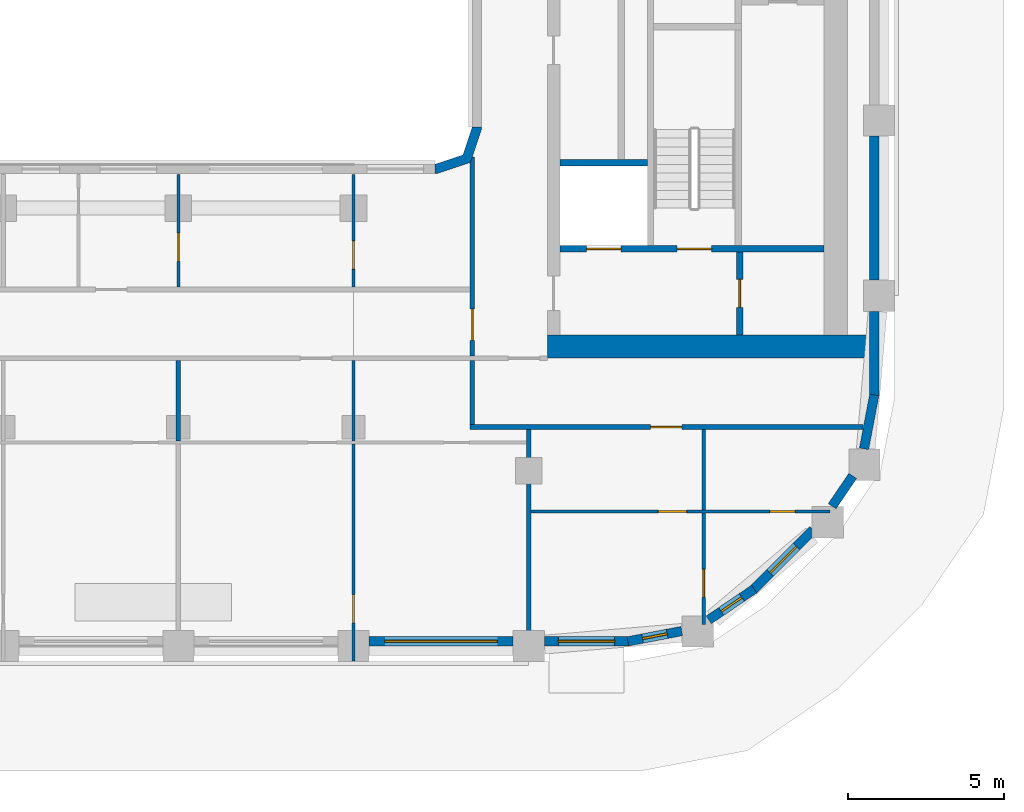
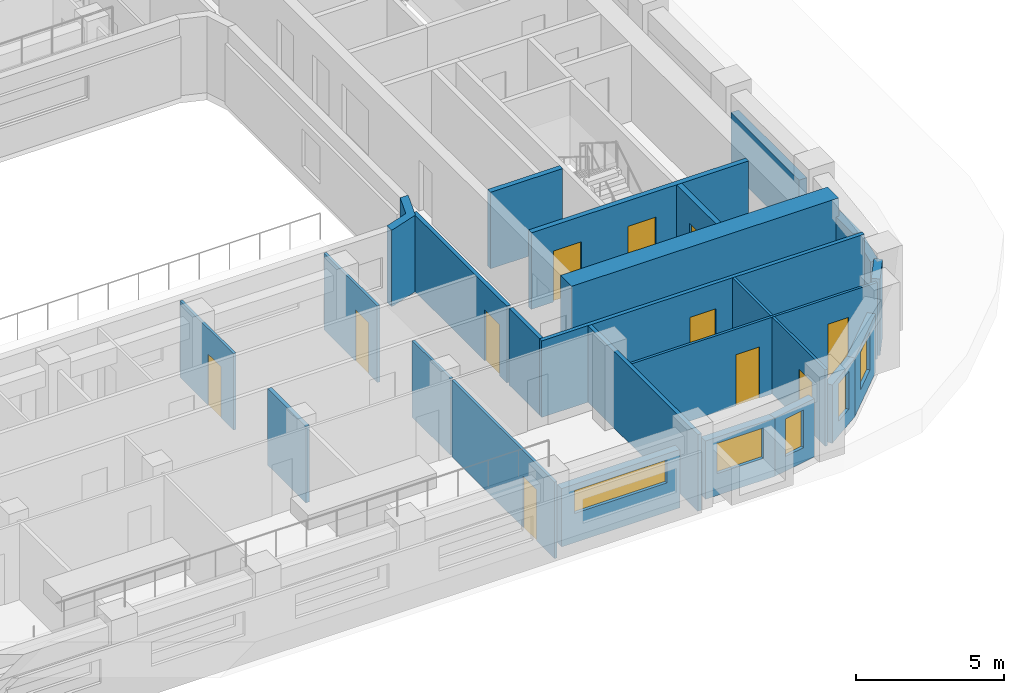
# One storey, part 5 of 17: 26 walls, 11 doors, 5 windows, 16 openings.
"""IFC4 building model written with IfcOpenShell, lengths in metres."""

from ifc_helpers import new_model, si_unit, direction, frame, frame_2d, origin, place, context, subcontext, project, spatial, polyline, rectangle, outline, extrude, material, layer, layer_set, type_object, element, fill, save


model = new_model("IFC4")

# Units and contexts
model_context = context("Model", 3, precision=1e-05, world=origin(), true_north=direction((0.0, 1.0)))
body_context = subcontext(model_context, "Body", "Model", "MODEL_VIEW")
ifc_project = project(units=[si_unit("LENGTHUNIT", "METRE"), si_unit("AREAUNIT", "SQUARE_METRE"), si_unit("VOLUMEUNIT", "CUBIC_METRE"), si_unit("PLANEANGLEUNIT", "RADIAN"), si_unit("MASSUNIT", "GRAM", prefix="KILO")], contexts=[model_context])

# Site, building, storey
site_placement = place(None, origin())
site = spatial("IfcSite", under=ifc_project, at=site_placement, CompositionType="ELEMENT")
building_placement = place(site_placement, origin())
building = spatial("IfcBuilding", under=site, at=building_placement, Name="Kiln Ring Residences", CompositionType="ELEMENT")
storey_placement = place(building_placement, frame((0.0, 0.0, 174.60009765625)))
storey = spatial("IfcBuildingStorey", under=building, at=storey_placement, Name="L45", CompositionType="ELEMENT", Elevation=174.60009765625)

# Wall, opening, door
ifc_material_1 = material(Name="Gypsum board on steel studs", Category="steel")
ifc_layer_1 = layer(ifc_material_1, 0.199951171875)
ifc_layer_set_1 = layer_set([ifc_layer_1], Name="CORE-PARTITION-200")
wall_type_1 = type_object("IfcWallType", Name="CORE-PARTITION-200", PredefinedType="PARTITIONING", material=ifc_layer_set_1)
wall_1_placement = place(storey_placement, frame((23.550048828125, -12.449951171875, 0.0), z_axis=(0.0, 0.0, 1.0), x_axis=(0.0, 1.0, 0.0)))
wall_1 = element("IfcWall", 1, at=wall_1_placement, inside=storey, type_object=wall_type_1, Name="Core partition east L45 5", PredefinedType="PARTITIONING", context=body_context, shape_type="SweptSolid", body=[
    extrude(rectangle(XDim=2.64990234375, YDim=0.199951171875, at=frame_2d((1.324951171875, 0.0))), origin(), (0.0, 0.0, 1.0), 3.14990234375),
])
opening_1_placement = place(wall_1_placement, frame((0.875, 0.0, 0.0)))
opening_1 = element("IfcOpeningElement", 2, at=opening_1_placement, cuts=wall_1, Name="Opening L45-CE10", PredefinedType="OPENING", context=body_context, shape_type="SweptSolid", body=[
    extrude(rectangle(XDim=0.89990234375, YDim=2.10009765625, at=frame_2d((0.449951171875, 1.050048828125))), frame((0.0, 0.10986328125, 0.0), z_axis=(0.0, -1.0, 0.0), x_axis=(1.0, 0.0, 0.0)), (0.0, 0.0, 1.0), 0.219970703125),
])
ifc_material_2 = material(Name="Steel door leaf", Category="steel")
door_type_1 = type_object("IfcDoorType", Name="CORE-DOOR-ROOM", OperationType="SINGLE_SWING_LEFT", PredefinedType="DOOR", material=ifc_material_2)
door_1_placement = place(opening_1_placement, origin())
door_1 = element("IfcDoor", 3, at=door_1_placement, inside=storey, type_object=door_type_1, Name="Store L45-CE10", OperationType="SINGLE_SWING_LEFT", OverallHeight=2.10009765625, OverallWidth=0.89990234375, PredefinedType="DOOR", context=body_context, shape_type="SweptSolid", body=[
    extrude(rectangle(XDim=0.89990234375, YDim=2.10009765625, at=frame_2d((0.449951171875, 1.050048828125))), frame((0.0, 0.02490234375, 0.0), z_axis=(0.0, -1.0, 0.0), x_axis=(1.0, 0.0, 0.0)), (0.0, 0.0, 1.0), 0.050048828125),
])
fill(opening_1, door_1)

# Wall
ifc_material_3 = material(Name="Gypsum shaft wall system")
ifc_layer_2 = layer(ifc_material_3, 0.199951171875)
ifc_layer_set_2 = layer_set([ifc_layer_2], Name="CORE-SHAFT-WALL-200")
wall_type_2 = type_object("IfcWallType", Name="CORE-SHAFT-WALL-200", PredefinedType="PARTITIONING", material=ifc_layer_set_2)
wall_2_placement = place(storey_placement, frame((17.800048828125, -6.949951171875, 0.0), z_axis=(0.0, 0.0, 1.0), x_axis=(1.0, 0.0, 0.0)))
element("IfcWall", 4, at=wall_2_placement, inside=storey, type_object=wall_type_2, Name="Core partition east L45 7", PredefinedType="PARTITIONING", context=body_context, shape_type="SweptSolid", body=[
    extrude(rectangle(XDim=2.800048828125, YDim=0.199951171875, at=frame_2d((1.39990234375, 0.0))), origin(), (0.0, 0.0, 1.0), 3.14990234375),
])

# Wall, openings, doors
ifc_material_4 = material(Name="Concrete C40/50", Category="concrete")
ifc_layer_3 = layer(ifc_material_4, 0.199951171875)
ifc_layer_set_3 = layer_set([ifc_layer_3], Name="CORE-WALL-RC200")
wall_type_3 = type_object("IfcWallType", Name="CORE-WALL-RC200", PredefinedType="SHEAR", material=ifc_layer_set_3)
wall_3_placement = place(storey_placement, frame((17.800048828125, -9.699951171875, 0.0), z_axis=(0.0, 0.0, 1.0), x_axis=(1.0, 0.0, 0.0)))
wall_3 = element("IfcWall", 5, at=wall_3_placement, inside=storey, type_object=wall_type_3, Name="Core wall east L45 8", PredefinedType="SHEAR", context=body_context, shape_type="SweptSolid", body=[
    extrude(rectangle(XDim=8.449951171875, YDim=0.199951171875, at=frame_2d((4.22509765625, 0.0))), origin(), (0.0, 0.0, 1.0), 3.14990234375),
])
opening_2_placement = place(wall_3_placement, frame((0.85009765625, 0.0, 0.0)))
opening_2 = element("IfcOpeningElement", 6, at=opening_2_placement, cuts=wall_3, Name="Opening L45-CE01", PredefinedType="OPENING", context=body_context, shape_type="SweptSolid", body=[
    extrude(rectangle(XDim=1.10009765625, YDim=2.10009765625, at=frame_2d((0.550048828125, 1.050048828125))), frame((0.0, 0.10986328125, 0.0), z_axis=(0.0, -1.0, 0.0), x_axis=(1.0, 0.0, 0.0)), (0.0, 0.0, 1.0), 0.219970703125),
])
opening_3_placement = place(wall_3_placement, frame((3.75, 0.0, 0.0)))
opening_3 = element("IfcOpeningElement", 7, at=opening_3_placement, cuts=wall_3, Name="Opening L45-CE12", PredefinedType="OPENING", context=body_context, shape_type="SweptSolid", body=[
    extrude(rectangle(XDim=1.10009765625, YDim=2.10009765625, at=frame_2d((0.550048828125, 1.050048828125))), frame((0.0, 0.10986328125, 0.0), z_axis=(0.0, -1.0, 0.0), x_axis=(1.0, 0.0, 0.0)), (0.0, 0.0, 1.0), 0.219970703125),
])
ifc_material_5 = material(Name="Steel door leaf", Category="steel")
door_type_2 = type_object("IfcDoorType", Name="CORE-DOOR-LD", OperationType="DOUBLE_DOOR_SLIDING", PredefinedType="DOOR", material=ifc_material_5)
door_2_placement = place(opening_2_placement, origin())
door_2 = element("IfcDoor", 8, at=door_2_placement, inside=storey, type_object=door_type_2, Name="LD E-SV L45-CE01", OperationType="DOUBLE_DOOR_SLIDING", OverallHeight=2.10009765625, OverallWidth=1.10009765625, PredefinedType="DOOR", context=body_context, shape_type="SweptSolid", body=[
    extrude(rectangle(XDim=1.10009765625, YDim=2.10009765625, at=frame_2d((0.550048828125, 1.050048828125))), frame((0.0, 0.02490234375, 0.0), z_axis=(0.0, -1.0, 0.0), x_axis=(1.0, 0.0, 0.0)), (0.0, 0.0, 1.0), 0.050048828125),
])
fill(opening_2, door_2)
ifc_material_6 = material(Name="Steel door leaf", Category="steel")
door_type_3 = type_object("IfcDoorType", Name="CORE-DOOR-STAIR", OperationType="SINGLE_SWING_LEFT", PredefinedType="DOOR", material=ifc_material_6)
door_3_placement = place(opening_3_placement, origin())
door_3 = element("IfcDoor", 9, at=door_3_placement, inside=storey, type_object=door_type_3, Name="Stair E-STS L45-CE12", OperationType="SINGLE_SWING_RIGHT", OverallHeight=2.10009765625, OverallWidth=1.10009765625, PredefinedType="DOOR", context=body_context, shape_type="SweptSolid", body=[
    extrude(rectangle(XDim=1.10009765625, YDim=2.10009765625, at=frame_2d((0.550048828125, 1.050048828125))), frame((0.0, 0.02490234375, 0.0), z_axis=(0.0, -1.0, 0.0), x_axis=(1.0, 0.0, 0.0)), (0.0, 0.0, 1.0), 0.050048828125),
])
fill(opening_3, door_3)

# Wall
ifc_material_7 = material(Name="Concrete C60/75", Category="concrete")
ifc_layer_4 = layer(ifc_material_7, 0.75)
ifc_layer_set_4 = layer_set([ifc_layer_4], Name="CORE-WALL-RC750")
wall_type_4 = type_object("IfcWallType", Name="CORE-WALL-RC750", PredefinedType="SHEAR", material=ifc_layer_set_4)
wall_4_placement = place(storey_placement, frame((17.39990234375, -12.824951171875, 0.0), z_axis=(0.0, 0.0, 1.0), x_axis=(1.0, 0.0, 0.0)))
element("IfcWall", 10, at=wall_4_placement, inside=storey, type_object=wall_type_4, Name="Core wall east L45 5", PredefinedType="SHEAR", context=body_context, shape_type="SweptSolid", body=[
    extrude(rectangle(XDim=10.400146484375, YDim=0.75, at=frame_2d((5.2001953125, 0.0))), origin(), (0.0, 0.0, 1.0), 3.14990234375),
])

# Wall, opening, window
ifc_material_8 = material(Name="Brick masonry, dark clay brick", Category="masonry")
ifc_layer_5 = layer(ifc_material_8, 0.300048828125)
ifc_layer_set_5 = layer_set([ifc_layer_5], Name="EW-300 BRICK WALL")
wall_type_5 = type_object("IfcWallType", Name="EW-300 BRICK WALL", PredefinedType="SOLIDWALL", material=ifc_layer_set_5)
wall_5_placement = place(storey_placement, frame((11.699951171875, -22.25, 0.0), z_axis=(0.0, 0.0, 1.0), x_axis=(1.0, 0.0, 0.0)))
wall_5 = element("IfcWall", 11, at=wall_5_placement, inside=storey, type_object=wall_type_5, Name="Facade wall L45 10", PredefinedType="SOLIDWALL", context=body_context, shape_type="SweptSolid", body=[
    extrude(rectangle(XDim=4.60009765625, YDim=0.300048828125, at=frame_2d((2.300048828125, 0.0))), origin(), (0.0, 0.0, 1.0), 2.39990234375),
])
opening_4_placement = place(wall_5_placement, frame((0.5, 0.0, 1.199951171875)))
opening_4 = element("IfcOpeningElement", 12, at=opening_4_placement, cuts=wall_5, Name="Opening W4", PredefinedType="OPENING", context=body_context, shape_type="SweptSolid", body=[
    extrude(rectangle(XDim=3.60009765625, YDim=0.949951171875, at=frame_2d((1.800048828125, 0.47509765625))), frame((0.0, 0.159912109375, 0.0), z_axis=(0.0, -1.0, 0.0), x_axis=(1.0, 0.0, 0.0)), (0.0, 0.0, 1.0), 0.320068359375),
])
ifc_material_9 = material(Name="Aluminium frame with double glazing", Category="aluminium")
window_type_1 = type_object("IfcWindowType", Name="WINDOW 3600 x 950", PartitioningType="SINGLE_PANEL", PredefinedType="WINDOW", material=ifc_material_9)
window_1_placement = place(opening_4_placement, origin())
window_1 = element("IfcWindow", 13, at=window_1_placement, inside=storey, type_object=window_type_1, Name="Window L45 9", OverallHeight=0.949951171875, OverallWidth=3.60009765625, PartitioningType="SINGLE_PANEL", PredefinedType="WINDOW", context=body_context, shape_type="SweptSolid", body=[
    extrude(rectangle(XDim=3.60009765625, YDim=0.949951171875, at=frame_2d((1.800048828125, 0.47509765625))), frame((0.0, 0.030029296875, 0.0), z_axis=(0.0, -1.0, 0.0), x_axis=(1.0, 0.0, 0.0)), (0.0, 0.0, 1.0), 0.06005859375),
])
fill(opening_4, window_1)

wall_6_placement = place(storey_placement, frame((17.300048828125, -22.25, 0.0), z_axis=(0.0, 0.0, 1.0), x_axis=(1.0, 0.0, 0.0)))
wall_6 = element("IfcWall", 14, at=wall_6_placement, inside=storey, type_object=wall_type_5, Name="Facade wall L45 11", PredefinedType="SOLIDWALL", context=body_context, shape_type="SweptSolid", body=[
    extrude(rectangle(XDim=2.699951171875, YDim=0.300048828125, at=frame_2d((1.35009765625, 0.0))), origin(), (0.0, 0.0, 1.0), 2.39990234375),
])
opening_5_placement = place(wall_6_placement, frame((0.449951171875, 0.0, 0.89990234375)))
opening_5 = element("IfcOpeningElement", 15, at=opening_5_placement, cuts=wall_6, Name="Opening W2", PredefinedType="OPENING", context=body_context, shape_type="SweptSolid", body=[
    extrude(rectangle(XDim=1.800048828125, YDim=1.25, at=frame_2d((0.89990234375, 0.625))), frame((0.0, 0.159912109375, 0.0), z_axis=(0.0, -1.0, 0.0), x_axis=(1.0, 0.0, 0.0)), (0.0, 0.0, 1.0), 0.320068359375),
])
ifc_material_10 = material(Name="Aluminium frame with double glazing", Category="aluminium")
window_type_2 = type_object("IfcWindowType", Name="WINDOW 1800 x 1250", PartitioningType="SINGLE_PANEL", PredefinedType="WINDOW", material=ifc_material_10)
window_2_placement = place(opening_5_placement, origin())
window_2 = element("IfcWindow", 16, at=window_2_placement, inside=storey, type_object=window_type_2, Name="Window L45 10", OverallHeight=1.25, OverallWidth=1.800048828125, PartitioningType="SINGLE_PANEL", PredefinedType="WINDOW", context=body_context, shape_type="SweptSolid", body=[
    extrude(rectangle(XDim=1.800048828125, YDim=1.25, at=frame_2d((0.89990234375, 0.625))), frame((0.0, 0.030029296875, 0.0), z_axis=(0.0, -1.0, 0.0), x_axis=(1.0, 0.0, 0.0)), (0.0, 0.0, 1.0), 0.06005859375),
])
fill(opening_5, window_2)

wall_7_placement = place(storey_placement, frame((19.971923828125, -22.252685546875, 0.0), z_axis=(0.0, 0.0, 1.0), x_axis=(0.982284988433, 0.187393173565, 0.0)))
wall_7 = element("IfcWall", 17, at=wall_7_placement, inside=storey, type_object=wall_type_5, Name="Facade wall L45 12", PredefinedType="SOLIDWALL", context=body_context, shape_type="SweptSolid", body=[
    extrude(rectangle(XDim=1.756103515625, YDim=0.300048828125, at=frame_2d((0.8779296875, 0.0))), origin(), (0.0, 0.0, 1.0), 2.39990234375),
])
opening_6_placement = place(wall_7_placement, frame((0.47802734375, 0.0, 0.60009765625)))
opening_6 = element("IfcOpeningElement", 18, at=opening_6_placement, cuts=wall_7, Name="Opening W5", PredefinedType="OPENING", context=body_context, shape_type="SweptSolid", body=[
    extrude(rectangle(XDim=0.800048828125, YDim=1.550048828125, at=frame_2d((0.39990234375, 0.77490234375))), frame((0.0, 0.159912109375, 0.0), z_axis=(0.0, -1.0, 0.0), x_axis=(1.0, 0.0, 0.0)), (0.0, 0.0, 1.0), 0.320068359375),
])
ifc_material_11 = material(Name="Aluminium frame with double glazing", Category="aluminium")
window_type_3 = type_object("IfcWindowType", Name="WINDOW 800 x 1550", PartitioningType="SINGLE_PANEL", PredefinedType="WINDOW", material=ifc_material_11)
window_3_placement = place(opening_6_placement, origin())
window_3 = element("IfcWindow", 19, at=window_3_placement, inside=storey, type_object=window_type_3, Name="Window L45 11", OverallHeight=1.550048828125, OverallWidth=0.800048828125, PartitioningType="SINGLE_PANEL", PredefinedType="WINDOW", context=body_context, shape_type="SweptSolid", body=[
    extrude(rectangle(XDim=0.800048828125, YDim=1.550048828125, at=frame_2d((0.39990234375, 0.77490234375))), frame((0.0, 0.030029296875, 0.0), z_axis=(0.0, -1.0, 0.0), x_axis=(1.0, 0.0, 0.0)), (0.0, 0.0, 1.0), 0.06005859375),
])
fill(opening_6, window_3)

wall_8_placement = place(storey_placement, frame((22.560302734375, -21.56591796875, 0.0), z_axis=(0.0, 0.0, 1.0), x_axis=(0.82707645233, 0.562089443061, 0.0)))
wall_8 = element("IfcWall", 20, at=wall_8_placement, inside=storey, type_object=wall_type_5, Name="Facade wall L45 13", PredefinedType="SOLIDWALL", context=body_context, shape_type="SweptSolid", body=[
    extrude(rectangle(XDim=1.756103515625, YDim=0.300048828125, at=frame_2d((0.8779296875, 0.0))), origin(), (0.0, 0.0, 1.0), 2.39990234375),
])
opening_7_placement = place(wall_8_placement, frame((0.47802734375, 0.0, 0.60009765625)))
opening_7 = element("IfcOpeningElement", 21, at=opening_7_placement, cuts=wall_8, Name="Opening W5", PredefinedType="OPENING", context=body_context, shape_type="SweptSolid", body=[
    extrude(rectangle(XDim=0.800048828125, YDim=1.550048828125, at=frame_2d((0.39990234375, 0.77490234375))), frame((0.0, 0.159912109375, 0.0), z_axis=(0.0, -1.0, 0.0), x_axis=(1.0, 0.0, 0.0)), (0.0, 0.0, 1.0), 0.320068359375),
])
window_4_placement = place(opening_7_placement, origin())
window_4 = element("IfcWindow", 22, at=window_4_placement, inside=storey, type_object=window_type_3, Name="Window L45 12", OverallHeight=1.550048828125, OverallWidth=0.800048828125, PartitioningType="SINGLE_PANEL", PredefinedType="WINDOW", context=body_context, shape_type="SweptSolid", body=[
    extrude(rectangle(XDim=0.800048828125, YDim=1.550048828125, at=frame_2d((0.39990234375, 0.77490234375))), frame((0.0, 0.030029296875, 0.0), z_axis=(0.0, -1.0, 0.0), x_axis=(1.0, 0.0, 0.0)), (0.0, 0.0, 1.0), 0.06005859375),
])
fill(opening_7, window_4)

wall_9_placement = place(storey_placement, frame((23.990966796875, -20.596923828125, 0.0), z_axis=(0.0, 0.0, 1.0), x_axis=(0.707106781187, 0.707106781187, 0.0)))
wall_9 = element("IfcWall", 23, at=wall_9_placement, inside=storey, type_object=wall_type_5, Name="Facade wall L45 14", PredefinedType="SOLIDWALL", context=body_context, shape_type="SweptSolid", body=[
    extrude(rectangle(XDim=2.699951171875, YDim=0.300048828125, at=frame_2d((1.35009765625, 0.0))), origin(), (0.0, 0.0, 1.0), 2.39990234375),
])
opening_8_placement = place(wall_9_placement, frame((0.75, 0.0, 0.60009765625)))
opening_8 = element("IfcOpeningElement", 24, at=opening_8_placement, cuts=wall_9, Name="Opening W1", PredefinedType="OPENING", context=body_context, shape_type="SweptSolid", body=[
    extrude(rectangle(XDim=1.199951171875, YDim=1.550048828125, at=frame_2d((0.60009765625, 0.77490234375))), frame((0.0, 0.159912109375, 0.0), z_axis=(0.0, -1.0, 0.0), x_axis=(1.0, 0.0, 0.0)), (0.0, 0.0, 1.0), 0.320068359375),
])
ifc_material_12 = material(Name="Aluminium frame with double glazing", Category="aluminium")
window_type_4 = type_object("IfcWindowType", Name="WINDOW 1200 x 1550", PartitioningType="SINGLE_PANEL", PredefinedType="WINDOW", material=ifc_material_12)
window_5_placement = place(opening_8_placement, origin())
window_5 = element("IfcWindow", 25, at=window_5_placement, inside=storey, type_object=window_type_4, Name="Window L45 13", OverallHeight=1.550048828125, OverallWidth=1.199951171875, PartitioningType="SINGLE_PANEL", PredefinedType="WINDOW", context=body_context, shape_type="SweptSolid", body=[
    extrude(rectangle(XDim=1.199951171875, YDim=1.550048828125, at=frame_2d((0.60009765625, 0.77490234375))), frame((0.0, 0.030029296875, 0.0), z_axis=(0.0, -1.0, 0.0), x_axis=(1.0, 0.0, 0.0)), (0.0, 0.0, 1.0), 0.06005859375),
])
fill(opening_8, window_5)

# Walls
wall_10_placement = place(storey_placement, frame((26.50439453125, -17.933837890625, 0.0), z_axis=(0.0, 0.0, 1.0), x_axis=(0.562145470373, 0.827038372833, 0.0)))
element("IfcWall", 26, at=wall_10_placement, inside=storey, type_object=wall_type_5, Name="Facade wall L45 15", PredefinedType="SOLIDWALL", context=body_context, shape_type="SweptSolid", body=[
    extrude(rectangle(XDim=1.177001953125, YDim=0.300048828125, at=frame_2d((0.58837890625, 0.0))), origin(), (0.0, 0.0, 1.0), 3.14990234375),
])
wall_11_placement = place(storey_placement, frame((27.523681640625, -16.096923828125, 0.0), z_axis=(0.0, 0.0, 1.0), x_axis=(0.187259034321, 0.982310569049, 0.0)))
element("IfcWall", 27, at=wall_11_placement, inside=storey, type_object=wall_type_5, Name="Facade wall L45 16", PredefinedType="SOLIDWALL", context=body_context, shape_type="SweptSolid", body=[
    extrude(rectangle(XDim=1.756103515625, YDim=0.300048828125, at=frame_2d((0.8779296875, 0.0))), origin(), (0.0, 0.0, 1.0), 2.39990234375),
])
wall_12_placement = place(storey_placement, frame((27.85009765625, -14.39990234375, 0.0), z_axis=(0.0, 0.0, 1.0), x_axis=(0.0, 1.0, 0.0)))
element("IfcWall", 28, at=wall_12_placement, inside=storey, type_object=wall_type_5, Name="Facade wall L45 17", PredefinedType="SOLIDWALL", context=body_context, shape_type="SweptSolid", body=[
    extrude(rectangle(XDim=2.699951171875, YDim=0.300048828125, at=frame_2d((1.35009765625, 0.0))), origin(), (0.0, 0.0, 1.0), 2.39990234375),
])
wall_13_placement = place(storey_placement, frame((27.85009765625, -10.699951171875, 0.0), z_axis=(0.0, 0.0, 1.0), x_axis=(0.0, 1.0, 0.0)))
element("IfcWall", 29, at=wall_13_placement, inside=storey, type_object=wall_type_5, Name="Facade wall L45 18", PredefinedType="SOLIDWALL", context=body_context, shape_type="SweptSolid", body=[
    extrude(rectangle(XDim=4.599853515625, YDim=0.300048828125, at=frame_2d((2.2998046875, 0.0))), origin(), (0.0, 0.0, 1.0), 2.39990234375),
])
wall_14_placement = place(storey_placement, origin())
element("IfcWall", 30, at=wall_14_placement, inside=storey, type_object=wall_type_5, Name="Corner wall L45 3", PredefinedType="SOLIDWALL", context=body_context, shape_type="SweptSolid", body=[
    extrude(outline(polyline([(14.937255859375, -6.937255859375), (15.300048828125, -5.8486328125), (15.300048828125, -5.800048828125), (15.0, -5.800048828125), (14.699951171875, -6.699951171875), (13.800048828125, -7.0), (13.800048828125, -7.300048828125), (13.8486328125, -7.300048828125), (14.937255859375, -6.937255859375)])), origin(), (0.0, 0.0, 1.0), 3.14990234375),
])

# Wall, openings, doors
ifc_material_13 = material(Name="Gypsum board on steel studs", Category="steel")
ifc_layer_6 = layer(ifc_material_13, 0.10009765625)
ifc_layer_set_6 = layer_set([ifc_layer_6], Name="PARTITION-100")
wall_type_6 = type_object("IfcWallType", Name="PARTITION-100", PredefinedType="PARTITIONING", material=ifc_layer_set_6)
wall_15_placement = place(storey_placement, frame((16.875, -18.10009765625, 0.0), z_axis=(0.0, 0.0, 1.0), x_axis=(1.0, 0.0, 0.0)))
wall_15 = element("IfcWall", 31, at=wall_15_placement, inside=storey, type_object=wall_type_6, Name="Partition 000", PredefinedType="PARTITIONING", context=body_context, shape_type="SweptSolid", body=[
    extrude(rectangle(XDim=9.56494140625, YDim=0.10009765625, at=frame_2d((4.782470703125, 0.0))), origin(), (0.0, 0.0, 1.0), 3.14990234375),
])
opening_9_placement = place(wall_15_placement, frame((7.638916015625, 0.0, 0.0)))
opening_9 = element("IfcOpeningElement", 32, at=opening_9_placement, cuts=wall_15, Name="Opening L45-D065", PredefinedType="OPENING", context=body_context, shape_type="SweptSolid", body=[
    extrude(rectangle(XDim=0.800048828125, YDim=2.10009765625, at=frame_2d((0.39990234375, 1.050048828125))), frame((0.0, 0.06005859375, 0.0), z_axis=(0.0, -1.0, 0.0), x_axis=(1.0, 0.0, 0.0)), (0.0, 0.0, 1.0), 0.1201171875),
])
opening_10_placement = place(wall_15_placement, frame((4.074951171875, 0.0, 0.0)))
opening_10 = element("IfcOpeningElement", 33, at=opening_10_placement, cuts=wall_15, Name="Opening L45-D066", PredefinedType="OPENING", context=body_context, shape_type="SweptSolid", body=[
    extrude(rectangle(XDim=0.89990234375, YDim=2.10009765625, at=frame_2d((0.449951171875, 1.050048828125))), frame((0.0, 0.06005859375, 0.0), z_axis=(0.0, -1.0, 0.0), x_axis=(1.0, 0.0, 0.0)), (0.0, 0.0, 1.0), 0.1201171875),
])
ifc_material_14 = material(Name="Timber door leaf", Category="wood")
door_type_4 = type_object("IfcDoorType", Name="FLAT-DOOR-800-PL", OperationType="SINGLE_SWING_LEFT", PredefinedType="DOOR", material=ifc_material_14)
door_4_placement = place(opening_9_placement, origin())
door_4 = element("IfcDoor", 34, at=door_4_placement, inside=storey, type_object=door_type_4, Name="Door L45-D065", OperationType="SINGLE_SWING_LEFT", OverallHeight=2.10009765625, OverallWidth=0.800048828125, PredefinedType="DOOR", context=body_context, shape_type="SweptSolid", body=[
    extrude(rectangle(XDim=0.800048828125, YDim=2.10009765625, at=frame_2d((0.39990234375, 1.050048828125))), frame((0.0, 0.02490234375, 0.0), z_axis=(0.0, -1.0, 0.0), x_axis=(1.0, 0.0, 0.0)), (0.0, 0.0, 1.0), 0.050048828125),
])
fill(opening_9, door_4)
ifc_material_15 = material(Name="Timber door leaf", Category="wood")
door_type_5 = type_object("IfcDoorType", Name="FLAT-DOOR-900-PL", OperationType="SINGLE_SWING_LEFT", PredefinedType="DOOR", material=ifc_material_15)
door_5_placement = place(opening_10_placement, origin())
door_5 = element("IfcDoor", 35, at=door_5_placement, inside=storey, type_object=door_type_5, Name="Door L45-D066", OperationType="SINGLE_SWING_RIGHT", OverallHeight=2.10009765625, OverallWidth=0.89990234375, PredefinedType="DOOR", context=body_context, shape_type="SweptSolid", body=[
    extrude(rectangle(XDim=0.89990234375, YDim=2.10009765625, at=frame_2d((0.449951171875, 1.050048828125))), frame((0.0, 0.02490234375, 0.0), z_axis=(0.0, -1.0, 0.0), x_axis=(1.0, 0.0, 0.0)), (0.0, 0.0, 1.0), 0.050048828125),
])
fill(opening_10, door_5)

# Wall, opening, door
wall_16_placement = place(storey_placement, frame((5.60009765625, -10.925048828125, 0.0), z_axis=(0.0, 0.0, 1.0), x_axis=(0.0, 1.0, 0.0)))
wall_16 = element("IfcWall", 36, at=wall_16_placement, inside=storey, type_object=wall_type_6, Name="Partition 049", PredefinedType="PARTITIONING", context=body_context, shape_type="SweptSolid", body=[
    extrude(rectangle(XDim=3.60498046875, YDim=0.10009765625, at=frame_2d((1.802490234375, 0.0))), origin(), (0.0, 0.0, 1.0), 3.14990234375),
])
opening_11_placement = place(wall_16_placement, frame((0.825927734375, 0.0, 0.0)))
opening_11 = element("IfcOpeningElement", 37, at=opening_11_placement, cuts=wall_16, Name="Opening L45-D050", PredefinedType="OPENING", context=body_context, shape_type="SweptSolid", body=[
    extrude(rectangle(XDim=0.89990234375, YDim=2.10009765625, at=frame_2d((0.449951171875, 1.050048828125))), frame((0.0, 0.06005859375, 0.0), z_axis=(0.0, -1.0, 0.0), x_axis=(1.0, 0.0, 0.0)), (0.0, 0.0, 1.0), 0.1201171875),
])
door_6_placement = place(opening_11_placement, origin())
door_6 = element("IfcDoor", 38, at=door_6_placement, inside=storey, type_object=door_type_5, Name="Door L45-D050", OperationType="SINGLE_SWING_LEFT", OverallHeight=2.10009765625, OverallWidth=0.89990234375, PredefinedType="DOOR", context=body_context, shape_type="SweptSolid", body=[
    extrude(rectangle(XDim=0.89990234375, YDim=2.10009765625, at=frame_2d((0.449951171875, 1.050048828125))), frame((0.0, 0.02490234375, 0.0), z_axis=(0.0, -1.0, 0.0), x_axis=(1.0, 0.0, 0.0)), (0.0, 0.0, 1.0), 0.050048828125),
])
fill(opening_11, door_6)

wall_17_placement = place(storey_placement, frame((11.199951171875, -22.8798828125, 0.0), z_axis=(0.0, 0.0, 1.0), x_axis=(0.0, 1.0, 0.0)))
wall_17 = element("IfcWall", 39, at=wall_17_placement, inside=storey, type_object=wall_type_6, Name="Partition 057", PredefinedType="PARTITIONING", context=body_context, shape_type="SweptSolid", body=[
    extrude(rectangle(XDim=6.929931640625, YDim=0.10009765625, at=frame_2d((3.46484375, 0.0))), origin(), (0.0, 0.0, 1.0), 3.14990234375),
])
opening_12_placement = place(wall_17_placement, frame((1.219970703125, 0.0, 0.0)))
opening_12 = element("IfcOpeningElement", 40, at=opening_12_placement, cuts=wall_17, Name="Opening L45-D063", PredefinedType="OPENING", context=body_context, shape_type="SweptSolid", body=[
    extrude(rectangle(XDim=0.89990234375, YDim=2.10009765625, at=frame_2d((0.449951171875, 1.050048828125))), frame((0.0, 0.06005859375, 0.0), z_axis=(0.0, -1.0, 0.0), x_axis=(1.0, 0.0, 0.0)), (0.0, 0.0, 1.0), 0.1201171875),
])
door_7_placement = place(opening_12_placement, origin())
door_7 = element("IfcDoor", 41, at=door_7_placement, inside=storey, type_object=door_type_5, Name="Door L45-D063", OperationType="SINGLE_SWING_LEFT", OverallHeight=2.10009765625, OverallWidth=0.89990234375, PredefinedType="DOOR", context=body_context, shape_type="SweptSolid", body=[
    extrude(rectangle(XDim=0.89990234375, YDim=2.10009765625, at=frame_2d((0.449951171875, 1.050048828125))), frame((0.0, 0.02490234375, 0.0), z_axis=(0.0, -1.0, 0.0), x_axis=(1.0, 0.0, 0.0)), (0.0, 0.0, 1.0), 0.050048828125),
])
fill(opening_12, door_7)

# Wall
wall_18_placement = place(storey_placement, frame((11.199951171875, -15.85009765625, 0.0), z_axis=(0.0, 0.0, 1.0), x_axis=(0.0, 1.0, 0.0)))
element("IfcWall", 42, at=wall_18_placement, inside=storey, type_object=wall_type_6, Name="Partition 058", PredefinedType="PARTITIONING", context=body_context, shape_type="SweptSolid", body=[
    extrude(rectangle(XDim=2.5751953125, YDim=0.10009765625, at=frame_2d((1.28759765625, 0.0))), origin(), (0.0, 0.0, 1.0), 3.14990234375),
])

# Wall, opening, door
wall_19_placement = place(storey_placement, frame((11.199951171875, -10.925048828125, 0.0), z_axis=(0.0, 0.0, 1.0), x_axis=(0.0, 1.0, 0.0)))
wall_19 = element("IfcWall", 43, at=wall_19_placement, inside=storey, type_object=wall_type_6, Name="Partition 059", PredefinedType="PARTITIONING", context=body_context, shape_type="SweptSolid", body=[
    extrude(rectangle(XDim=3.60498046875, YDim=0.10009765625, at=frame_2d((1.802490234375, 0.0))), origin(), (0.0, 0.0, 1.0), 3.14990234375),
])
opening_13_placement = place(wall_19_placement, frame((0.575927734375, 0.0, 0.0)))
opening_13 = element("IfcOpeningElement", 44, at=opening_13_placement, cuts=wall_19, Name="Opening L45-D051", PredefinedType="OPENING", context=body_context, shape_type="SweptSolid", body=[
    extrude(rectangle(XDim=0.89990234375, YDim=2.10009765625, at=frame_2d((0.449951171875, 1.050048828125))), frame((0.0, 0.06005859375, 0.0), z_axis=(0.0, -1.0, 0.0), x_axis=(1.0, 0.0, 0.0)), (0.0, 0.0, 1.0), 0.1201171875),
])
door_8_placement = place(opening_13_placement, origin())
door_8 = element("IfcDoor", 45, at=door_8_placement, inside=storey, type_object=door_type_5, Name="Door L45-D051", OperationType="SINGLE_SWING_LEFT", OverallHeight=2.10009765625, OverallWidth=0.89990234375, PredefinedType="DOOR", context=body_context, shape_type="SweptSolid", body=[
    extrude(rectangle(XDim=0.89990234375, YDim=2.10009765625, at=frame_2d((0.449951171875, 1.050048828125))), frame((0.0, 0.02490234375, 0.0), z_axis=(0.0, -1.0, 0.0), x_axis=(1.0, 0.0, 0.0)), (0.0, 0.0, 1.0), 0.050048828125),
])
fill(opening_13, door_8)

wall_20_placement = place(storey_placement, frame((22.39990234375, -21.719970703125, 0.0), z_axis=(0.0, 0.0, 1.0), x_axis=(0.0, 1.0, 0.0)))
wall_20 = element("IfcWall", 46, at=wall_20_placement, inside=storey, type_object=wall_type_6, Name="Partition 071", PredefinedType="PARTITIONING", context=body_context, shape_type="SweptSolid", body=[
    extrude(rectangle(XDim=3.570068359375, YDim=0.10009765625, at=frame_2d((1.78515625, 0.0))), origin(), (0.0, 0.0, 1.0), 3.14990234375),
])
opening_14_placement = place(wall_20_placement, frame((0.8720703125, 0.0, 0.0)))
opening_14 = element("IfcOpeningElement", 47, at=opening_14_placement, cuts=wall_20, Name="Opening L45-D067", PredefinedType="OPENING", context=body_context, shape_type="SweptSolid", body=[
    extrude(rectangle(XDim=0.89990234375, YDim=2.10009765625, at=frame_2d((0.449951171875, 1.050048828125))), frame((0.0, 0.06005859375, 0.0), z_axis=(0.0, -1.0, 0.0), x_axis=(1.0, 0.0, 0.0)), (0.0, 0.0, 1.0), 0.1201171875),
])
door_9_placement = place(opening_14_placement, origin())
door_9 = element("IfcDoor", 48, at=door_9_placement, inside=storey, type_object=door_type_5, Name="Door L45-D067", OperationType="SINGLE_SWING_LEFT", OverallHeight=2.10009765625, OverallWidth=0.89990234375, PredefinedType="DOOR", context=body_context, shape_type="SweptSolid", body=[
    extrude(rectangle(XDim=0.89990234375, YDim=2.10009765625, at=frame_2d((0.449951171875, 1.050048828125))), frame((0.0, 0.02490234375, 0.0), z_axis=(0.0, -1.0, 0.0), x_axis=(1.0, 0.0, 0.0)), (0.0, 0.0, 1.0), 0.050048828125),
])
fill(opening_14, door_9)

# Wall
wall_21_placement = place(storey_placement, frame((22.39990234375, -18.050048828125, 0.0), z_axis=(0.0, 0.0, 1.0), x_axis=(0.0, 1.0, 0.0)))
element("IfcWall", 49, at=wall_21_placement, inside=storey, type_object=wall_type_6, Name="Partition 072", PredefinedType="PARTITIONING", context=body_context, shape_type="SweptSolid", body=[
    extrude(rectangle(XDim=2.574951171875, YDim=0.10009765625, at=frame_2d((1.28759765625, 0.0))), origin(), (0.0, 0.0, 1.0), 3.14990234375),
])

# Wall, opening, door
ifc_material_16 = material(Name="Brick masonry partition", Category="masonry")
ifc_layer_7 = layer(ifc_material_16, 0.14990234375)
ifc_layer_set_7 = layer_set([ifc_layer_7], Name="PARTITION-150-ei60")
wall_type_7 = type_object("IfcWallType", Name="PARTITION-150-ei60", PredefinedType="PARTITIONING", material=ifc_layer_set_7)
wall_22_placement = place(storey_placement, frame((14.925048828125, -15.39990234375, 0.0), z_axis=(0.0, 0.0, 1.0), x_axis=(1.0, 0.0, 0.0)))
wall_22 = element("IfcWall", 50, at=wall_22_placement, inside=storey, type_object=wall_type_7, Name="Partition 004", PredefinedType="PARTITIONING", context=body_context, shape_type="SweptSolid", body=[
    extrude(rectangle(XDim=12.558837890625, YDim=0.14990234375, at=frame_2d((6.279296875, 0.0))), origin(), (0.0, 0.0, 1.0), 3.14990234375),
])
opening_15_placement = place(wall_22_placement, frame((5.77490234375, 0.0, 0.0)))
opening_15 = element("IfcOpeningElement", 51, at=opening_15_placement, cuts=wall_22, Name="Opening L45-D064", PredefinedType="OPENING", context=body_context, shape_type="SweptSolid", body=[
    extrude(rectangle(XDim=1.0, YDim=2.10009765625, at=frame_2d((0.5, 1.050048828125))), frame((0.0, 0.0849609375, 0.0), z_axis=(0.0, -1.0, 0.0), x_axis=(1.0, 0.0, 0.0)), (0.0, 0.0, 1.0), 0.169921875),
])
ifc_material_17 = material(Name="Steel faced fire door leaf", Category="steel")
door_type_6 = type_object("IfcDoorType", Name="FLAT-DOOR-1000-FR", OperationType="SINGLE_SWING_LEFT", PredefinedType="DOOR", material=ifc_material_17)
door_10_placement = place(opening_15_placement, origin())
door_10 = element("IfcDoor", 52, at=door_10_placement, inside=storey, type_object=door_type_6, Name="Door L45-D064", OperationType="SINGLE_SWING_RIGHT", OverallHeight=2.10009765625, OverallWidth=1.0, PredefinedType="DOOR", context=body_context, shape_type="SweptSolid", body=[
    extrude(rectangle(XDim=1.0, YDim=2.10009765625, at=frame_2d((0.5, 1.050048828125))), frame((0.0, 0.02490234375, 0.0), z_axis=(0.0, -1.0, 0.0), x_axis=(1.0, 0.0, 0.0)), (0.0, 0.0, 1.0), 0.050048828125),
])
fill(opening_15, door_10)

# Walls
wall_23_placement = place(storey_placement, frame((5.60009765625, -15.85009765625, 0.0), z_axis=(0.0, 0.0, 1.0), x_axis=(0.0, 1.0, 0.0)))
element("IfcWall", 53, at=wall_23_placement, inside=storey, type_object=wall_type_7, Name="Partition 052", PredefinedType="PARTITIONING", context=body_context, shape_type="SweptSolid", body=[
    extrude(rectangle(XDim=2.5751953125, YDim=0.14990234375, at=frame_2d((1.28759765625, 0.0))), origin(), (0.0, 0.0, 1.0), 3.14990234375),
])
wall_24_placement = place(storey_placement, frame((15.0, -15.324951171875, 0.0), z_axis=(0.0, 0.0, 1.0), x_axis=(0.0, 1.0, 0.0)))
element("IfcWall", 54, at=wall_24_placement, inside=storey, type_object=wall_type_7, Name="Partition 065", PredefinedType="PARTITIONING", context=body_context, shape_type="SweptSolid", body=[
    extrude(rectangle(XDim=2.050048828125, YDim=0.14990234375, at=frame_2d((1.02490234375, 0.0))), origin(), (0.0, 0.0, 1.0), 3.14990234375),
])

# Wall, opening, door
wall_25_placement = place(storey_placement, frame((15.0, -13.125, 0.0), z_axis=(0.0, 0.0, 1.0), x_axis=(0.0, 1.0, 0.0)))
wall_25 = element("IfcWall", 55, at=wall_25_placement, inside=storey, type_object=wall_type_7, Name="Partition 066", PredefinedType="PARTITIONING", context=body_context, shape_type="SweptSolid", body=[
    extrude(rectangle(XDim=6.356201171875, YDim=0.14990234375, at=frame_2d((3.17822265625, 0.0))), origin(), (0.0, 0.0, 1.0), 3.14990234375),
])
opening_16_placement = place(wall_25_placement, frame((0.49609375, 0.0, 0.0)))
opening_16 = element("IfcOpeningElement", 56, at=opening_16_placement, cuts=wall_25, Name="Opening L45-D006", PredefinedType="OPENING", context=body_context, shape_type="SweptSolid", body=[
    extrude(rectangle(XDim=1.0, YDim=2.10009765625, at=frame_2d((0.5, 1.050048828125))), frame((0.0, 0.0849609375, 0.0), z_axis=(0.0, -1.0, 0.0), x_axis=(1.0, 0.0, 0.0)), (0.0, 0.0, 1.0), 0.169921875),
])
door_11_placement = place(opening_16_placement, origin())
door_11 = element("IfcDoor", 57, at=door_11_placement, inside=storey, type_object=door_type_6, Name="Door L45-D006", OperationType="SINGLE_SWING_LEFT", OverallHeight=2.10009765625, OverallWidth=1.0, PredefinedType="DOOR", context=body_context, shape_type="SweptSolid", body=[
    extrude(rectangle(XDim=1.0, YDim=2.10009765625, at=frame_2d((0.5, 1.050048828125))), frame((0.0, 0.02490234375, 0.0), z_axis=(0.0, -1.0, 0.0), x_axis=(1.0, 0.0, 0.0)), (0.0, 0.0, 1.0), 0.050048828125),
])
fill(opening_16, door_11)

# Wall
wall_26_placement = place(storey_placement, frame((16.800048828125, -22.8798828125, 0.0), z_axis=(0.0, 0.0, 1.0), x_axis=(0.0, 1.0, 0.0)))
element("IfcWall", 58, at=wall_26_placement, inside=storey, type_object=wall_type_7, Name="Partition 069", PredefinedType="PARTITIONING", context=body_context, shape_type="SweptSolid", body=[
    extrude(rectangle(XDim=7.40478515625, YDim=0.14990234375, at=frame_2d((3.702392578125, 0.0))), origin(), (0.0, 0.0, 1.0), 3.14990234375),
])

save(model, "model.ifc")
